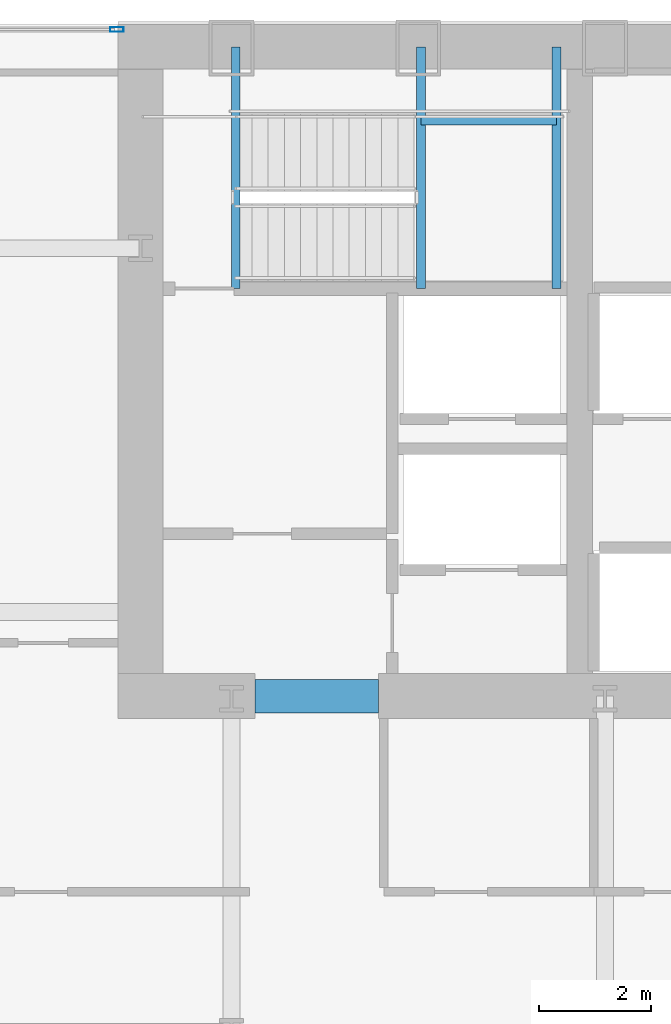
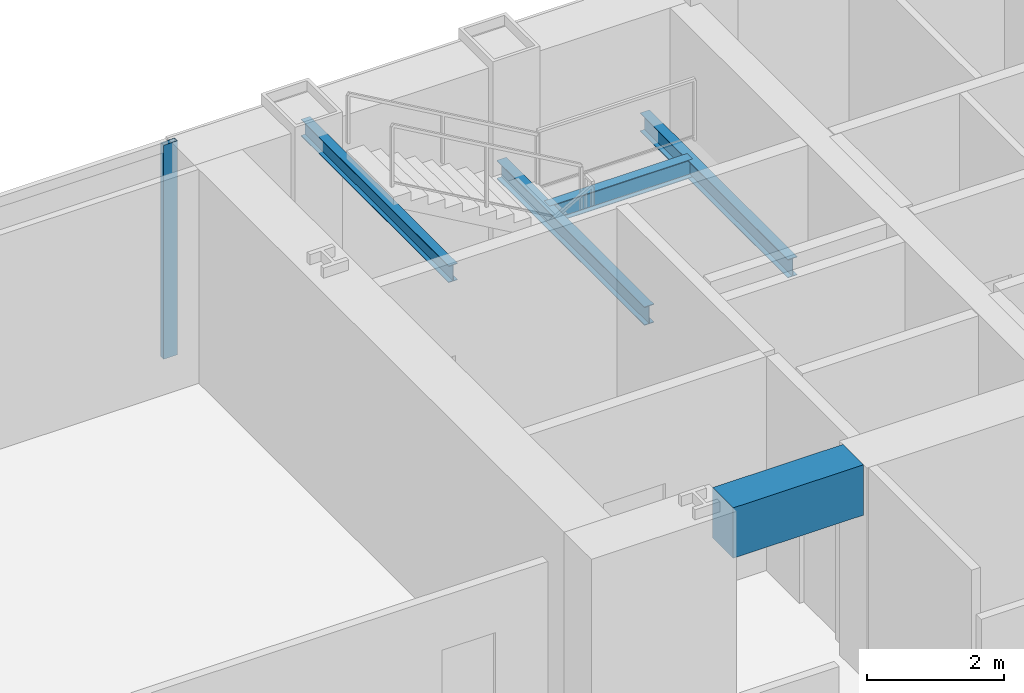
# One storey, part 18 of 32: 5 beams, 1 member, 1 element without a shape of its own.
"""IFC4 building model written with IfcOpenShell, lengths in metres."""

from ifc_helpers import new_model, si_unit, direction, frame, origin, origin_2d, place, context, subcontext, project, spatial, rectangle, hollow_rectangle, i_section, extrude, material, material_profile, profile_set, type_object, element, aggregate, save


model = new_model("IFC4")

# Units and contexts
model_context = context("Model", 3, precision=1e-05, world=origin(), true_north=direction((0.0, 1.0)))
body_context = subcontext(model_context, "Body", "Model", "MODEL_VIEW")
ifc_project = project(units=[si_unit("LENGTHUNIT", "METRE"), si_unit("AREAUNIT", "SQUARE_METRE"), si_unit("VOLUMEUNIT", "CUBIC_METRE"), si_unit("PLANEANGLEUNIT", "RADIAN"), si_unit("MASSUNIT", "GRAM", prefix="KILO")], contexts=[model_context])

# Site, building, storey
site_placement = place(None, origin())
site = spatial("IfcSite", under=ifc_project, at=site_placement, CompositionType="ELEMENT")
building_placement = place(site_placement, origin())
building = spatial("IfcBuilding", under=site, at=building_placement, Name="Khoronbel Lancet Exchange", CompositionType="ELEMENT")
storey_placement = place(building_placement, frame((0.0, 0.0, 41.800048828125)))
storey = spatial("IfcBuildingStorey", under=building, at=storey_placement, Name="L09", CompositionType="ELEMENT", Elevation=41.800048828125)

# Beams
ifc_material_1 = material(Name="Steel S355", Category="steel")
ifc_material_profile_1 = material_profile(ifc_material_1, i_section(OverallWidth=0.159912109375, OverallDepth=0.330078125, WebThickness=0.007568359375, FlangeThickness=0.011474609375, at=origin_2d()), Name="IPE 330")
ifc_profile_set_1 = profile_set([ifc_material_profile_1], Name="Steel S355")
beam_type_1 = type_object("IfcBeamType", Name="BM-BJ7", PredefinedType="JOIST", material=ifc_profile_set_1)
for number, where, z_axis, x_axis, name in (
    (1, (21.610107421875, 48.97998046875, 1.635009765625), (0.0, 1.0, 0.0), (-1.0, 0.0, 0.0), "Level L09 stair ST1 landing bearer beam 1"),
    (2, (24.030029296875, 48.97998046875, 1.635009765625), (0.0, 1.0, 0.0), (-1.0, 0.0, 0.0), "Level L09 stair ST1 rear landing bearer beam 1"),
):
    element("IfcBeam", number, at=place(storey_placement, frame(where, z_axis=z_axis, x_axis=x_axis)), inside=storey, type_object=beam_type_1, Name=name, PredefinedType="JOIST", context=body_context, shape_type="SweptSolid", body=[
        extrude(i_section(OverallWidth=0.159912109375, OverallDepth=0.330078125, WebThickness=0.007568359375, FlangeThickness=0.011474609375, at=origin_2d()), origin(), (0.0, 0.0, 1.0), 4.320068359375),
    ])
beam_1_placement = place(storey_placement, frame((21.610107421875, 51.97998046875, 1.635009765625), z_axis=(1.0, 0.0, 0.0), x_axis=(0.0, 1.0, 0.0)))
element("IfcBeam", 3, at=beam_1_placement, inside=storey, type_object=beam_type_1, Name="Level L09 stair ST1 landing cross trimmer beam 1", PredefinedType="JOIST", context=body_context, shape_type="SweptSolid", body=[
    extrude(i_section(OverallWidth=0.159912109375, OverallDepth=0.330078125, WebThickness=0.007568359375, FlangeThickness=0.011474609375, at=origin_2d()), origin(), (0.0, 0.0, 1.0), 2.419921875),
])
ifc_material_profile_2 = material_profile(ifc_material_1, i_section(OverallWidth=0.14990234375, OverallDepth=0.300048828125, WebThickness=0.007080078125, FlangeThickness=0.0107421875, at=origin_2d()), Name="IPE 300")
ifc_profile_set_2 = profile_set([ifc_material_profile_2], Name="Steel S355")
beam_type_2 = type_object("IfcBeamType", Name="BM-BJ8", PredefinedType="JOIST", material=ifc_profile_set_2)
beam_2_placement = place(storey_placement, frame((18.300048828125, 48.97998046875, 3.5400390625), z_axis=(0.0, 1.0, 0.0), x_axis=(-1.0, 0.0, 0.0)))
element("IfcBeam", 4, at=beam_2_placement, inside=storey, type_object=beam_type_2, Name="Level L09 stair ST1 upper-flight arrival trimmer beam", PredefinedType="JOIST", context=body_context, shape_type="SweptSolid", body=[
    extrude(i_section(OverallWidth=0.14990234375, OverallDepth=0.300048828125, WebThickness=0.007080078125, FlangeThickness=0.0107421875, at=origin_2d()), origin(), (0.0, 0.0, 1.0), 4.320068359375),
])
ifc_material_2 = material(Name="Concrete C80/95", Category="concrete")
ifc_material_profile_3 = material_profile(ifc_material_2, rectangle(XDim=0.60009765625, YDim=0.89990234375, at=origin_2d()), Name="RC 600x900")
ifc_profile_set_3 = profile_set([ifc_material_profile_3], Name="Concrete C80/95")
beam_type_3 = type_object("IfcBeamType", Name="BM-BL1", PredefinedType="LINTEL", material=ifc_profile_set_3)
beam_3_placement = place(storey_placement, frame((18.64990234375, 41.699951171875, 3.369873046875), z_axis=(1.0, 0.0, 0.0), x_axis=(0.0, 1.0, 0.0)))
element("IfcBeam", 5, at=beam_3_placement, inside=storey, type_object=beam_type_3, Name="Level L09 rear core coupling lintel L1", PredefinedType="LINTEL", context=body_context, shape_type="SweptSolid", body=[
    extrude(rectangle(XDim=0.60009765625, YDim=0.89990234375, at=origin_2d()), origin(), (0.0, 0.0, 1.0), 2.2001953125),
])

# Curtain wall, member
ifc_material_3 = material(Name="Low-E Solar Control Insulating Glass", Category="glass")
curtain_wall_type = type_object("IfcCurtainWallType", Name="CW-1", PredefinedType="NOTDEFINED", material=ifc_material_3)
curtain_wall_placement = place(storey_placement, origin())
curtain_wall = element("IfcCurtainWall", 6, at=curtain_wall_placement, inside=storey, type_object=curtain_wall_type, Name="Unitised curtain wall CW-L09-NWFLK", PredefinedType="NOTDEFINED")
ifc_material_4 = material(Name="Bronze-Anodised Aluminium 6063-T6", Category="aluminium")
ifc_material_profile_4 = material_profile(ifc_material_4, hollow_rectangle(XDim=0.0849609375, YDim=0.239990234375, WallThickness=0.006103515625, at=origin_2d()), Name="ALU MULLION 85x240")
ifc_profile_set_4 = profile_set([ifc_material_profile_4], Name="Bronze-Anodised Aluminium 6063-T6")
member_type = type_object("IfcMemberType", Name="MEM-CWM1", PredefinedType="MULLION", material=ifc_profile_set_4)
member_placement = place(storey_placement, frame((16.177490234375, 53.610107421875, 0.0), z_axis=(0.0, 0.0, 1.0), x_axis=(0.0, -1.0, 0.0)))
member = element("IfcMember", 7, at=member_placement, type_object=member_type, Name="CW1 mullion 1", PredefinedType="MULLION", context=body_context, shape_type="SweptSolid", body=[
    extrude(hollow_rectangle(XDim=0.0849609375, YDim=0.239990234375, WallThickness=0.006103515625, at=origin_2d()), origin(), (0.0, 0.0, 1.0), 3.820068359375),
])
aggregate(curtain_wall, [member])

save(model, "model.ifc")
